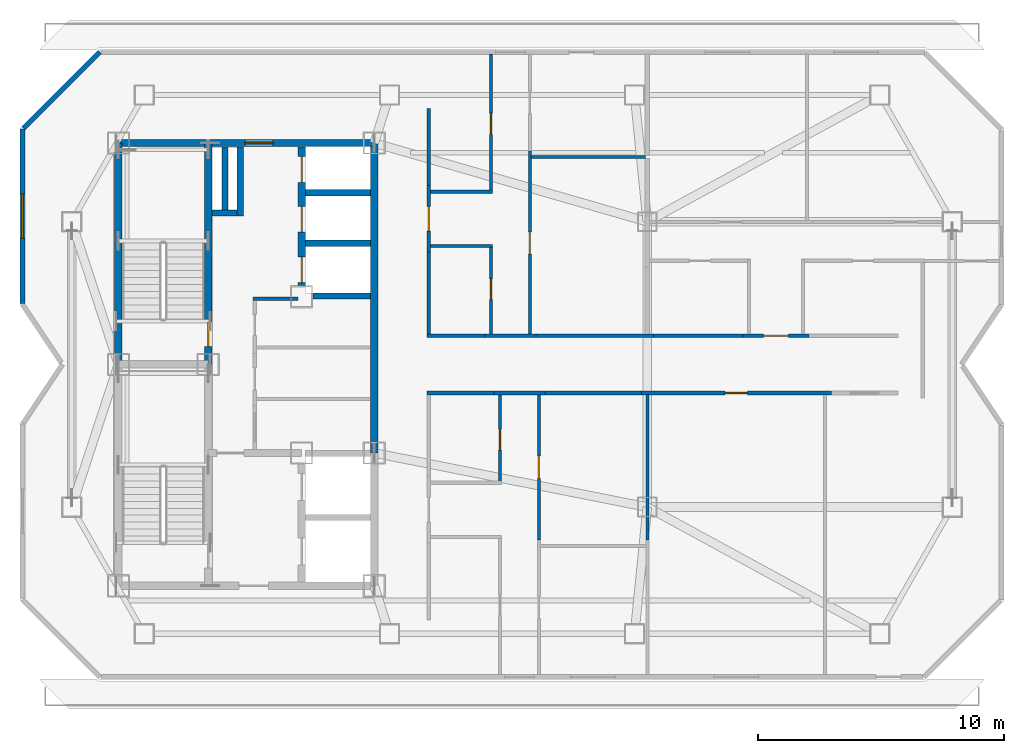
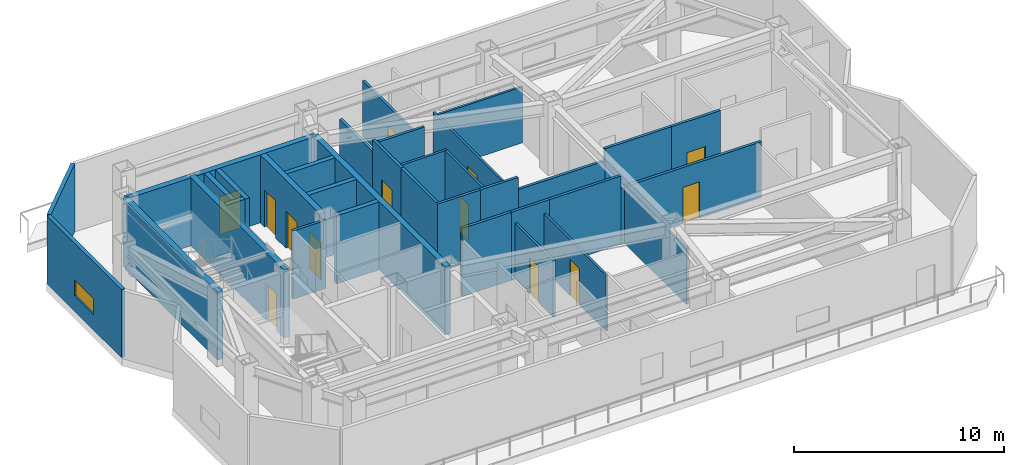
# One storey, part 6 of 12: 35 walls, 13 doors, 1 window, 14 openings.
"""IFC4 building model written with IfcOpenShell, lengths in metres."""

from ifc_helpers import new_model, si_unit, direction, frame, frame_2d, origin, place, context, subcontext, project, spatial, rectangle, extrude, material, layer, layer_set, type_object, element, fill, save


model = new_model("IFC4")

# Units and contexts
model_context = context("Model", 3, precision=1e-05, world=origin(), true_north=direction((0.0, 1.0)))
body_context = subcontext(model_context, "Body", "Model", "MODEL_VIEW")
ifc_project = project(units=[si_unit("LENGTHUNIT", "METRE"), si_unit("AREAUNIT", "SQUARE_METRE"), si_unit("VOLUMEUNIT", "CUBIC_METRE"), si_unit("PLANEANGLEUNIT", "RADIAN"), si_unit("MASSUNIT", "GRAM", prefix="KILO")], contexts=[model_context])

# Site, building, storey
site_placement = place(None, origin())
site = spatial("IfcSite", under=ifc_project, at=site_placement, CompositionType="ELEMENT")
building_placement = place(site_placement, origin())
building = spatial("IfcBuilding", under=site, at=building_placement, Name="Khamvora Tower", CompositionType="ELEMENT")
storey_placement = place(building_placement, frame((0.0, 0.0, 286.25)))
storey = spatial("IfcBuildingStorey", under=building, at=storey_placement, Name="L73", CompositionType="ELEMENT", Elevation=286.25)

# Wall
ifc_material_1 = material(Name="Concrete C50/60", Category="concrete")
ifc_layer_1 = layer(ifc_material_1, 0.300048828125)
ifc_layer_set_1 = layer_set([ifc_layer_1], Name="Concrete C50/60")
wall_type_1 = type_object("IfcWallType", Name="WAL-CORE-300", PredefinedType="SHEAR", material=ifc_layer_set_1)
wall_1_placement = place(storey_placement, frame((29.0, 28.0, 0.0), z_axis=(0.0, 0.0, 1.0), x_axis=(0.0, 1.0, 0.0)))
element("IfcWall", 1, at=wall_1_placement, inside=storey, type_object=wall_type_1, Name="L73 central core west north wall", PredefinedType="SHEAR", context=body_context, shape_type="SweptSolid", body=[
    extrude(rectangle(XDim=9.0, YDim=0.300048828125, at=frame_2d((4.5, 0.0))), origin(), (0.0, 0.0, 1.0), 3.949951171875),
])

# Wall, opening, door
wall_2_placement = place(storey_placement, frame((29.0, 37.0, 0.0), z_axis=(0.0, 0.0, 1.0), x_axis=(1.0, 0.0, 0.0)))
wall_2 = element("IfcWall", 2, at=wall_2_placement, inside=storey, type_object=wall_type_1, Name="L73 central core north wall", PredefinedType="SHEAR", context=body_context, shape_type="SweptSolid", body=[
    extrude(rectangle(XDim=10.39990234375, YDim=0.300048828125, at=frame_2d((5.199951171875, 0.0))), origin(), (0.0, 0.0, 1.0), 3.949951171875),
])
opening_1_placement = place(wall_2_placement, frame((5.139892578125, 0.0, 0.0)))
opening_1 = element("IfcOpeningElement", 3, at=opening_1_placement, cuts=wall_2, Name="Opening D-SC1", PredefinedType="OPENING", context=body_context, shape_type="SweptSolid", body=[
    extrude(rectangle(XDim=1.14990234375, YDim=2.199951171875, at=frame_2d((0.574951171875, 1.10009765625))), frame((0.0, 0.159912109375, 0.0), z_axis=(0.0, -1.0, 0.0), x_axis=(1.0, 0.0, 0.0)), (0.0, 0.0, 1.0), 0.320068359375),
])
ifc_material_2 = material(Name="Powder-Coated Steel and Hardwood Leaf", Category="steel")
door_type_1 = type_object("IfcDoorType", Name="DOR-SCHL-1150", OperationType="NOTDEFINED", PredefinedType="DOOR", material=ifc_material_2)
door_1_placement = place(opening_1_placement, origin())
door_1 = element("IfcDoor", 4, at=door_1_placement, inside=storey, type_object=door_type_1, Name="L73 north core lobby to corridor fire door", OperationType="SINGLE_SWING_RIGHT", OverallHeight=2.199951171875, OverallWidth=1.14990234375, PredefinedType="DOOR", context=body_context, shape_type="SweptSolid", body=[
    extrude(rectangle(XDim=1.14990234375, YDim=2.199951171875, at=frame_2d((0.574951171875, 1.10009765625))), frame((0.0, 0.02490234375, 0.0), z_axis=(0.0, -1.0, 0.0), x_axis=(1.0, 0.0, 0.0)), (0.0, 0.0, 1.0), 0.050048828125),
])
fill(opening_1, door_1)

# Wall
wall_3_placement = place(storey_placement, frame((39.39990234375, 24.39990234375, 0.0), z_axis=(0.0, 0.0, 1.0), x_axis=(0.0, 1.0, 0.0)))
element("IfcWall", 5, at=wall_3_placement, inside=storey, type_object=wall_type_1, Name="L73 central core east north wall", PredefinedType="SHEAR", context=body_context, shape_type="SweptSolid", body=[
    extrude(rectangle(XDim=12.60009765625, YDim=0.300048828125, at=frame_2d((6.300048828125, 0.0))), origin(), (0.0, 0.0, 1.0), 3.949951171875),
])

# Wall, opening, door
wall_4_placement = place(storey_placement, frame((32.64990234375, 28.0, 0.0), z_axis=(0.0, 0.0, 1.0), x_axis=(0.0, 1.0, 0.0)))
wall_4 = element("IfcWall", 6, at=wall_4_placement, inside=storey, type_object=wall_type_1, Name="L73 central core stair north spine wall", PredefinedType="SHEAR", context=body_context, shape_type="SweptSolid", body=[
    extrude(rectangle(XDim=9.0, YDim=0.300048828125, at=frame_2d((4.5, 0.0))), origin(), (0.0, 0.0, 1.0), 3.949951171875),
])
opening_2_placement = place(wall_4_placement, frame((0.719970703125, 0.0, 0.0)))
opening_2 = element("IfcOpeningElement", 7, at=opening_2_placement, cuts=wall_4, Name="Opening D-ST1", PredefinedType="OPENING", context=body_context, shape_type="SweptSolid", body=[
    extrude(rectangle(XDim=1.0, YDim=2.14990234375, at=frame_2d((0.5, 1.074951171875))), frame((0.0, 0.159912109375, 0.0), z_axis=(0.0, -1.0, 0.0), x_axis=(1.0, 0.0, 0.0)), (0.0, 0.0, 1.0), 0.320068359375),
])
door_type_2 = type_object("IfcDoorType", Name="DOR-STAIR-1000", OperationType="NOTDEFINED", PredefinedType="DOOR", material=ifc_material_2)
door_2_placement = place(opening_2_placement, origin())
door_2 = element("IfcDoor", 8, at=door_2_placement, inside=storey, type_object=door_type_2, Name="L73 exit stair ST-02 fire door", OperationType="SINGLE_SWING_RIGHT", OverallHeight=2.14990234375, OverallWidth=1.0, PredefinedType="DOOR", context=body_context, shape_type="SweptSolid", body=[
    extrude(rectangle(XDim=1.0, YDim=2.14990234375, at=frame_2d((0.5, 1.074951171875))), frame((0.0, 0.02490234375, 0.0), z_axis=(0.0, -1.0, 0.0), x_axis=(1.0, 0.0, 0.0)), (0.0, 0.0, 1.0), 0.050048828125),
])
fill(opening_2, door_2)

# Wall, openings, doors
wall_5_placement = place(storey_placement, frame((36.449951171875, 31.199951171875, 0.0), z_axis=(0.0, 0.0, 1.0), x_axis=(0.0, 1.0, 0.0)))
wall_5 = element("IfcWall", 9, at=wall_5_placement, inside=storey, type_object=wall_type_1, Name="L73 central core lift bank central wall", PredefinedType="SHEAR", context=body_context, shape_type="SweptSolid", body=[
    extrude(rectangle(XDim=5.64599609375, YDim=0.300048828125, at=frame_2d((2.822998046875, 0.0))), origin(), (0.0, 0.0, 1.0), 3.949951171875),
])
opening_3_placement = place(wall_5_placement, frame((0.125, 0.0, 0.0)))
opening_3 = element("IfcOpeningElement", 10, at=opening_3_placement, cuts=wall_5, Name="Opening LD-PL", PredefinedType="OPENING", context=body_context, shape_type="SweptSolid", body=[
    extrude(rectangle(XDim=1.050048828125, YDim=2.14990234375, at=frame_2d((0.52490234375, 1.074951171875))), frame((0.0, 0.159912109375, 0.0), z_axis=(0.0, -1.0, 0.0), x_axis=(1.0, 0.0, 0.0)), (0.0, 0.0, 1.0), 0.320068359375),
])
opening_4_placement = place(wall_5_placement, frame((2.175048828125, 0.0, 0.0)))
opening_4 = element("IfcOpeningElement", 11, at=opening_4_placement, cuts=wall_5, Name="Opening LD-PL", PredefinedType="OPENING", context=body_context, shape_type="SweptSolid", body=[
    extrude(rectangle(XDim=1.050048828125, YDim=2.14990234375, at=frame_2d((0.52490234375, 1.074951171875))), frame((0.0, 0.159912109375, 0.0), z_axis=(0.0, -1.0, 0.0), x_axis=(1.0, 0.0, 0.0)), (0.0, 0.0, 1.0), 0.320068359375),
])
opening_5_placement = place(wall_5_placement, frame((4.195068359375, 0.0, 0.0)))
opening_5 = element("IfcOpeningElement", 12, at=opening_5_placement, cuts=wall_5, Name="Opening LD-PL", PredefinedType="OPENING", context=body_context, shape_type="SweptSolid", body=[
    extrude(rectangle(XDim=1.050048828125, YDim=2.14990234375, at=frame_2d((0.52490234375, 1.074951171875))), frame((0.0, 0.159912109375, 0.0), z_axis=(0.0, -1.0, 0.0), x_axis=(1.0, 0.0, 0.0)), (0.0, 0.0, 1.0), 0.320068359375),
])
door_type_3 = type_object("IfcDoorType", Name="DOR-LIFT-1050", OperationType="SLIDING_TO_LEFT", PredefinedType="DOOR", material=ifc_material_2)
door_3_placement = place(opening_3_placement, origin())
door_3 = element("IfcDoor", 13, at=door_3_placement, inside=storey, type_object=door_type_3, Name="L73 lift landing sliding door PH-01", OperationType="SLIDING_TO_LEFT", OverallHeight=2.14990234375, OverallWidth=1.050048828125, PredefinedType="DOOR", context=body_context, shape_type="SweptSolid", body=[
    extrude(rectangle(XDim=1.050048828125, YDim=2.14990234375, at=frame_2d((0.52490234375, 1.074951171875))), frame((0.0, 0.02490234375, 0.0), z_axis=(0.0, -1.0, 0.0), x_axis=(1.0, 0.0, 0.0)), (0.0, 0.0, 1.0), 0.050048828125),
])
fill(opening_3, door_3)
door_4_placement = place(opening_4_placement, origin())
door_4 = element("IfcDoor", 14, at=door_4_placement, inside=storey, type_object=door_type_3, Name="L73 lift landing sliding door PH-02", OperationType="SLIDING_TO_LEFT", OverallHeight=2.14990234375, OverallWidth=1.050048828125, PredefinedType="DOOR", context=body_context, shape_type="SweptSolid", body=[
    extrude(rectangle(XDim=1.050048828125, YDim=2.14990234375, at=frame_2d((0.52490234375, 1.074951171875))), frame((0.0, 0.02490234375, 0.0), z_axis=(0.0, -1.0, 0.0), x_axis=(1.0, 0.0, 0.0)), (0.0, 0.0, 1.0), 0.050048828125),
])
fill(opening_4, door_4)
door_5_placement = place(opening_5_placement, origin())
door_5 = element("IfcDoor", 15, at=door_5_placement, inside=storey, type_object=door_type_3, Name="L73 lift landing sliding door PH-03", OperationType="SLIDING_TO_LEFT", OverallHeight=2.14990234375, OverallWidth=1.050048828125, PredefinedType="DOOR", context=body_context, shape_type="SweptSolid", body=[
    extrude(rectangle(XDim=1.050048828125, YDim=2.14990234375, at=frame_2d((0.52490234375, 1.074951171875))), frame((0.0, 0.02490234375, 0.0), z_axis=(0.0, -1.0, 0.0), x_axis=(1.0, 0.0, 0.0)), (0.0, 0.0, 1.0), 0.050048828125),
])
fill(opening_5, door_5)

# Wall
ifc_material_3 = material(Name="Fire-Rated Drywall and Steel Stud", Category="steel")
ifc_layer_2 = layer(ifc_material_3, 0.14990234375)
ifc_layer_set_2 = layer_set([ifc_layer_2], Name="Fire-Rated Drywall and Steel Stud")
wall_type_2 = type_object("IfcWallType", Name="WAL-CORR-150", PredefinedType="STANDARD", material=ifc_layer_set_2)
wall_6_placement = place(storey_placement, frame((36.300048828125, 30.6650390625, 0.0), z_axis=(0.0, 0.0, 1.0), x_axis=(-1.0, 0.0, 0.0)))
element("IfcWall", 16, at=wall_6_placement, inside=storey, type_object=wall_type_2, Name="L73 interior partition wall 001", PredefinedType="STANDARD", context=body_context, shape_type="SweptSolid", body=[
    extrude(rectangle(XDim=1.820068359375, YDim=0.14990234375, at=frame_2d((0.91015625, 0.0))), origin(), (0.0, 0.0, 1.0), 3.949951171875),
])

# Wall, opening, door
wall_7_placement = place(storey_placement, frame((57.97900390625, 26.8349609375, 0.0), z_axis=(0.0, 0.0, 1.0), x_axis=(-1.0, 0.0, 0.0)))
wall_7 = element("IfcWall", 17, at=wall_7_placement, inside=storey, type_object=wall_type_2, Name="L73 interior partition wall 007", PredefinedType="STANDARD", context=body_context, shape_type="SweptSolid", body=[
    extrude(rectangle(XDim=7.722900390625, YDim=0.14990234375, at=frame_2d((3.861328125, 0.0))), origin(), (0.0, 0.0, 1.0), 3.2451171875),
])
opening_6_placement = place(wall_7_placement, frame((3.410888671875, 0.0, 0.0)))
opening_6 = element("IfcOpeningElement", 18, at=opening_6_placement, cuts=wall_7, Name="Opening D-RM1", PredefinedType="OPENING", context=body_context, shape_type="SweptSolid", body=[
    extrude(rectangle(XDim=0.89990234375, YDim=2.10009765625, at=frame_2d((0.449951171875, 1.050048828125))), frame((0.0, 0.0849609375, 0.0), z_axis=(0.0, -1.0, 0.0), x_axis=(1.0, 0.0, 0.0)), (0.0, 0.0, 1.0), 0.169921875),
])
door_type_4 = type_object("IfcDoorType", Name="DOR-ROOM-900", OperationType="NOTDEFINED", PredefinedType="DOOR", material=ifc_material_2)
door_6_placement = place(opening_6_placement, origin())
door_6 = element("IfcDoor", 19, at=door_6_placement, inside=storey, type_object=door_type_4, Name="L73 interior door COR-CSAL", OperationType="SINGLE_SWING_RIGHT", OverallHeight=2.10009765625, OverallWidth=0.89990234375, PredefinedType="DOOR", context=body_context, shape_type="SweptSolid", body=[
    extrude(rectangle(XDim=0.89990234375, YDim=2.10009765625, at=frame_2d((0.449951171875, 1.050048828125))), frame((0.0, 0.02490234375, 0.0), z_axis=(0.0, -1.0, 0.0), x_axis=(1.0, 0.0, 0.0)), (0.0, 0.0, 1.0), 0.050048828125),
])
fill(opening_6, door_6)

# Walls
wall_8_placement = place(storey_placement, frame((46.339111328125, 26.8349609375, 0.0), z_axis=(0.0, 0.0, 1.0), x_axis=(-1.0, 0.0, 0.0)))
element("IfcWall", 20, at=wall_8_placement, inside=storey, type_object=wall_type_2, Name="L73 interior partition wall 009", PredefinedType="STANDARD", context=body_context, shape_type="SweptSolid", body=[
    extrude(rectangle(XDim=2.078125, YDim=0.14990234375, at=frame_2d((1.0390625, 0.0))), origin(), (0.0, 0.0, 1.0), 3.949951171875),
])
wall_9_placement = place(storey_placement, frame((44.260986328125, 26.8349609375, 0.0), z_axis=(0.0, 0.0, 1.0), x_axis=(-1.0, 0.0, 0.0)))
element("IfcWall", 21, at=wall_9_placement, inside=storey, type_object=wall_type_2, Name="L73 interior partition wall 011", PredefinedType="STANDARD", context=body_context, shape_type="SweptSolid", body=[
    extrude(rectangle(XDim=2.7109375, YDim=0.14990234375, at=frame_2d((1.35546875, 0.0))), origin(), (0.0, 0.0, 1.0), 3.949951171875),
])
wall_10_placement = place(storey_placement, frame((50.256103515625, 26.8349609375, 0.0), z_axis=(0.0, 0.0, 1.0), x_axis=(-1.0, 0.0, 0.0)))
element("IfcWall", 22, at=wall_10_placement, inside=storey, type_object=wall_type_2, Name="L73 interior partition wall 014", PredefinedType="STANDARD", context=body_context, shape_type="SweptSolid", body=[
    extrude(rectangle(XDim=3.9169921875, YDim=0.14990234375, at=frame_2d((1.95849609375, 0.0))), origin(), (0.0, 0.0, 1.0), 3.949951171875),
])
wall_11_placement = place(storey_placement, frame((43.89599609375, 29.1650390625, 0.0), z_axis=(0.0, 0.0, 1.0), x_axis=(1.0, 0.0, 0.0)))
element("IfcWall", 23, at=wall_11_placement, inside=storey, type_object=wall_type_2, Name="L73 interior partition wall 015", PredefinedType="STANDARD", context=body_context, shape_type="SweptSolid", body=[
    extrude(rectangle(XDim=2.078125, YDim=0.14990234375, at=frame_2d((1.0390625, 0.0))), origin(), (0.0, 0.0, 1.0), 3.949951171875),
])

# Wall, opening, door
wall_12_placement = place(storey_placement, frame((41.614990234375, 35.264892578125, 0.0), z_axis=(0.0, 0.0, 1.0), x_axis=(0.0, -1.0, 0.0)))
wall_12 = element("IfcWall", 24, at=wall_12_placement, inside=storey, type_object=wall_type_2, Name="L73 interior partition wall 016", PredefinedType="STANDARD", context=body_context, shape_type="SweptSolid", body=[
    extrude(rectangle(XDim=2.697998046875, YDim=0.14990234375, at=frame_2d((1.34912109375, 0.0))), origin(), (0.0, 0.0, 1.0), 3.949951171875),
])
opening_7_placement = place(wall_12_placement, frame((0.84912109375, 0.0, 0.0)))
opening_7 = element("IfcOpeningElement", 25, at=opening_7_placement, cuts=wall_12, Name="Opening D-U1", PredefinedType="OPENING", context=body_context, shape_type="SweptSolid", body=[
    extrude(rectangle(XDim=1.0, YDim=2.14990234375, at=frame_2d((0.5, 1.074951171875))), frame((0.0, 0.0849609375, 0.0), z_axis=(0.0, -1.0, 0.0), x_axis=(1.0, 0.0, 0.0)), (0.0, 0.0, 1.0), 0.169921875),
])
door_type_5 = type_object("IfcDoorType", Name="DOR-UNIT-1000", OperationType="NOTDEFINED", PredefinedType="DOOR", material=ifc_material_2)
door_7_placement = place(opening_7_placement, origin())
door_7 = element("IfcDoor", 26, at=door_7_placement, inside=storey, type_object=door_type_5, Name="L73 interior door COR-73CH", OperationType="SINGLE_SWING_LEFT", OverallHeight=2.14990234375, OverallWidth=1.0, PredefinedType="DOOR", context=body_context, shape_type="SweptSolid", body=[
    extrude(rectangle(XDim=1.0, YDim=2.14990234375, at=frame_2d((0.5, 1.074951171875))), frame((0.0, 0.02490234375, 0.0), z_axis=(0.0, -1.0, 0.0), x_axis=(1.0, 0.0, 0.0)), (0.0, 0.0, 1.0), 0.050048828125),
])
fill(opening_7, door_7)

# Walls
wall_13_placement = place(storey_placement, frame((41.550048828125, 29.1650390625, 0.0), z_axis=(0.0, 0.0, 1.0), x_axis=(1.0, 0.0, 0.0)))
element("IfcWall", 27, at=wall_13_placement, inside=storey, type_object=wall_type_2, Name="L73 interior partition wall 017", PredefinedType="STANDARD", context=body_context, shape_type="SweptSolid", body=[
    extrude(rectangle(XDim=2.345947265625, YDim=0.14990234375, at=frame_2d((1.1728515625, 0.0))), origin(), (0.0, 0.0, 1.0), 3.949951171875),
])
wall_14_placement = place(storey_placement, frame((41.614990234375, 32.56689453125, 0.0), z_axis=(0.0, 0.0, 1.0), x_axis=(0.0, -1.0, 0.0)))
element("IfcWall", 28, at=wall_14_placement, inside=storey, type_object=wall_type_2, Name="L73 interior partition wall 018", PredefinedType="STANDARD", context=body_context, shape_type="SweptSolid", body=[
    extrude(rectangle(XDim=3.46484375, YDim=0.14990234375, at=frame_2d((1.732421875, 0.0))), origin(), (0.0, 0.0, 1.0), 3.949951171875),
])
wall_15_placement = place(storey_placement, frame((41.614990234375, 38.39990234375, 0.0), z_axis=(0.0, 0.0, 1.0), x_axis=(0.0, -1.0, 0.0)))
element("IfcWall", 29, at=wall_15_placement, inside=storey, type_object=wall_type_2, Name="L73 interior partition wall 019", PredefinedType="STANDARD", context=body_context, shape_type="SweptSolid", body=[
    extrude(rectangle(XDim=3.135009765625, YDim=0.14990234375, at=frame_2d((1.5673828125, 0.0))), origin(), (0.0, 0.0, 1.0), 3.2451171875),
])
wall_16_placement = place(storey_placement, frame((45.97412109375, 29.1650390625, 0.0), z_axis=(0.0, 0.0, 1.0), x_axis=(1.0, 0.0, 0.0)))
element("IfcWall", 30, at=wall_16_placement, inside=storey, type_object=wall_type_2, Name="L73 interior partition wall 020", PredefinedType="STANDARD", context=body_context, shape_type="SweptSolid", body=[
    extrude(rectangle(XDim=4.769775390625, YDim=0.14990234375, at=frame_2d((2.384765625, 0.0))), origin(), (0.0, 0.0, 1.0), 3.2451171875),
])

# Wall, opening, door
wall_17_placement = place(storey_placement, frame((54.382080078125, 29.1650390625, 0.0), z_axis=(0.0, 0.0, 1.0), x_axis=(1.0, 0.0, 0.0)))
wall_17 = element("IfcWall", 31, at=wall_17_placement, inside=storey, type_object=wall_type_2, Name="L73 interior partition wall 021", PredefinedType="STANDARD", context=body_context, shape_type="SweptSolid", body=[
    extrude(rectangle(XDim=2.697998046875, YDim=0.14990234375, at=frame_2d((1.34912109375, 0.0))), origin(), (0.0, 0.0, 1.0), 3.949951171875),
])
opening_8_placement = place(wall_17_placement, frame((0.84912109375, 0.0, 0.0)))
opening_8 = element("IfcOpeningElement", 32, at=opening_8_placement, cuts=wall_17, Name="Opening D-U1", PredefinedType="OPENING", context=body_context, shape_type="SweptSolid", body=[
    extrude(rectangle(XDim=1.0, YDim=2.14990234375, at=frame_2d((0.5, 1.074951171875))), frame((0.0, 0.0849609375, 0.0), z_axis=(0.0, -1.0, 0.0), x_axis=(1.0, 0.0, 0.0)), (0.0, 0.0, 1.0), 0.169921875),
])
door_8_placement = place(opening_8_placement, origin())
door_8 = element("IfcDoor", 33, at=door_8_placement, inside=storey, type_object=door_type_5, Name="L73 interior door COR-73DH", OperationType="SINGLE_SWING_RIGHT", OverallHeight=2.14990234375, OverallWidth=1.0, PredefinedType="DOOR", context=body_context, shape_type="SweptSolid", body=[
    extrude(rectangle(XDim=1.0, YDim=2.14990234375, at=frame_2d((0.5, 1.074951171875))), frame((0.0, 0.02490234375, 0.0), z_axis=(0.0, -1.0, 0.0), x_axis=(1.0, 0.0, 0.0)), (0.0, 0.0, 1.0), 0.050048828125),
])
fill(opening_8, door_8)

# Wall
wall_18_placement = place(storey_placement, frame((50.743896484375, 29.1650390625, 0.0), z_axis=(0.0, 0.0, 1.0), x_axis=(1.0, 0.0, 0.0)))
element("IfcWall", 34, at=wall_18_placement, inside=storey, type_object=wall_type_2, Name="L73 interior partition wall 022", PredefinedType="STANDARD", context=body_context, shape_type="SweptSolid", body=[
    extrude(rectangle(XDim=3.63818359375, YDim=0.14990234375, at=frame_2d((1.819091796875, 0.0))), origin(), (0.0, 0.0, 1.0), 3.949951171875),
])

# Wall, opening, window
ifc_material_4 = material(Name="Precast concrete C40/50", Category="concrete")
ifc_layer_3 = layer(ifc_material_4, 0.199951171875)
ifc_layer_set_3 = layer_set([ifc_layer_3], Name="Precast concrete C40/50")
wall_type_3 = type_object("IfcWallType", Name="WAL-EXT-200", PredefinedType="STANDARD", material=ifc_layer_set_3)
wall_19_placement = place(storey_placement, frame((25.10009765625, 30.47705078125, 0.0), z_axis=(0.0, 0.0, 1.0), x_axis=(0.0, 1.0, 0.0)))
wall_19 = element("IfcWall", 35, at=wall_19_placement, inside=storey, type_object=wall_type_3, Name="L73 exterior facade wall 05.1", PredefinedType="STANDARD", context=body_context, shape_type="SweptSolid", body=[
    extrude(rectangle(XDim=7.08203125, YDim=0.199951171875, at=frame_2d((3.541015625, 0.0))), origin(), (0.0, 0.0, 1.0), 3.949951171875),
])
opening_9_placement = place(wall_19_placement, frame((2.64111328125, 0.0, 0.89990234375)))
opening_9 = element("IfcOpeningElement", 36, at=opening_9_placement, cuts=wall_19, Name="Opening WN-09", PredefinedType="OPENING", context=body_context, shape_type="SweptSolid", body=[
    extrude(rectangle(XDim=1.800048828125, YDim=0.919921875, at=frame_2d((0.89990234375, 0.4599609375))), frame((0.0, 0.10986328125, 0.0), z_axis=(0.0, -1.0, 0.0), x_axis=(1.0, 0.0, 0.0)), (0.0, 0.0, 1.0), 0.219970703125),
])
ifc_material_5 = material(Name="Low-E Laminated Double Glazing", Category="glass")
window_type = type_object("IfcWindowType", Name="WIN-CLR-1800x920", PartitioningType="SINGLE_PANEL", PredefinedType="WINDOW", material=ifc_material_5)
window_placement = place(opening_9_placement, origin())
window = element("IfcWindow", 37, at=window_placement, inside=storey, type_object=window_type, Name="L73 vision window 05.1.01", OverallHeight=0.919921875, OverallWidth=1.800048828125, PartitioningType="SINGLE_PANEL", PredefinedType="WINDOW", context=body_context, shape_type="SweptSolid", body=[
    extrude(rectangle(XDim=1.800048828125, YDim=0.919921875, at=frame_2d((0.89990234375, 0.4599609375))), frame((0.0, 0.030029296875, 0.0), z_axis=(0.0, -1.0, 0.0), x_axis=(1.0, 0.0, 0.0)), (0.0, 0.0, 1.0), 0.06005859375),
])
fill(opening_9, window)

# Walls
wall_20_placement = place(storey_placement, frame((25.14404296875, 37.60302734375, 0.0), z_axis=(0.0, 0.0, 1.0), x_axis=(0.707106781187, 0.707106781187, 0.0)))
element("IfcWall", 38, at=wall_20_placement, inside=storey, type_object=wall_type_3, Name="L73 exterior facade wall 06.1", PredefinedType="STANDARD", context=body_context, shape_type="SweptSolid", body=[
    extrude(rectangle(XDim=4.379638671875, YDim=0.199951171875, at=frame_2d((2.18994140625, 0.0))), origin(), (0.0, 0.0, 1.0), 3.949951171875),
])
ifc_material_6 = material(Name="Gypsum Plasterboard Partition", Category="gypsum")
ifc_layer_4 = layer(ifc_material_6, 0.1201171875)
ifc_layer_set_4 = layer_set([ifc_layer_4], Name="Gypsum Plasterboard Partition")
wall_type_4 = type_object("IfcWallType", Name="WAL-PART-120", PredefinedType="PARTITIONING", material=ifc_layer_set_4)
wall_21_placement = place(storey_placement, frame((50.5048828125, 20.865966796875, 0.0), z_axis=(0.0, 0.0, 1.0), x_axis=(0.0, 1.0, 0.0)))
element("IfcWall", 39, at=wall_21_placement, inside=storey, type_object=wall_type_4, Name="L73 interior partition wall 026", PredefinedType="PARTITIONING", context=body_context, shape_type="SweptSolid", body=[
    extrude(rectangle(XDim=5.904052734375, YDim=0.1201171875, at=frame_2d((2.9521484375, 0.0))), origin(), (0.0, 0.0, 1.0), 3.2451171875),
])

# Wall, opening, door
wall_22_placement = place(storey_placement, frame((46.090087890625, 26.77001953125, 0.0), z_axis=(0.0, 0.0, 1.0), x_axis=(0.0, -1.0, 0.0)))
wall_22 = element("IfcWall", 40, at=wall_22_placement, inside=storey, type_object=wall_type_4, Name="L73 interior partition wall 032", PredefinedType="PARTITIONING", context=body_context, shape_type="SweptSolid", body=[
    extrude(rectangle(XDim=5.89892578125, YDim=0.1201171875, at=frame_2d((2.949462890625, 0.0))), origin(), (0.0, 0.0, 1.0), 3.2451171875),
])
opening_10_placement = place(wall_22_placement, frame((2.4990234375, 0.0, 0.0)))
opening_10 = element("IfcOpeningElement", 41, at=opening_10_placement, cuts=wall_22, Name="Opening D-RM1", PredefinedType="OPENING", context=body_context, shape_type="SweptSolid", body=[
    extrude(rectangle(XDim=0.89990234375, YDim=2.10009765625, at=frame_2d((0.449951171875, 1.050048828125))), frame((0.0, 0.070068359375, 0.0), z_axis=(0.0, -1.0, 0.0), x_axis=(1.0, 0.0, 0.0)), (0.0, 0.0, 1.0), 0.14013671875),
])
door_9_placement = place(opening_10_placement, origin())
door_9 = element("IfcDoor", 42, at=door_9_placement, inside=storey, type_object=door_type_4, Name="L73 interior door 73BH-73BR2", OperationType="SINGLE_SWING_RIGHT", OverallHeight=2.10009765625, OverallWidth=0.89990234375, PredefinedType="DOOR", context=body_context, shape_type="SweptSolid", body=[
    extrude(rectangle(XDim=0.89990234375, YDim=2.10009765625, at=frame_2d((0.449951171875, 1.050048828125))), frame((0.0, 0.02490234375, 0.0), z_axis=(0.0, -1.0, 0.0), x_axis=(1.0, 0.0, 0.0)), (0.0, 0.0, 1.0), 0.050048828125),
])
fill(opening_10, door_9)

wall_23_placement = place(storey_placement, frame((45.72509765625, 36.678955078125, 0.0), z_axis=(0.0, 0.0, 1.0), x_axis=(0.0, -1.0, 0.0)))
wall_23 = element("IfcWall", 43, at=wall_23_placement, inside=storey, type_object=wall_type_4, Name="L73 interior partition wall 038", PredefinedType="PARTITIONING", context=body_context, shape_type="SweptSolid", body=[
    extrude(rectangle(XDim=7.448974609375, YDim=0.1201171875, at=frame_2d((3.724609375, 0.0))), origin(), (0.0, 0.0, 1.0), 3.2451171875),
])
opening_11_placement = place(wall_23_placement, frame((3.294921875, 0.0, 0.0)))
opening_11 = element("IfcOpeningElement", 44, at=opening_11_placement, cuts=wall_23, Name="Opening D-RM1", PredefinedType="OPENING", context=body_context, shape_type="SweptSolid", body=[
    extrude(rectangle(XDim=0.89990234375, YDim=2.10009765625, at=frame_2d((0.449951171875, 1.050048828125))), frame((0.0, 0.070068359375, 0.0), z_axis=(0.0, -1.0, 0.0), x_axis=(1.0, 0.0, 0.0)), (0.0, 0.0, 1.0), 0.14013671875),
])
door_10_placement = place(opening_11_placement, origin())
door_10 = element("IfcDoor", 45, at=door_10_placement, inside=storey, type_object=door_type_4, Name="L73 interior door 73CH-73CL", OperationType="SINGLE_SWING_LEFT", OverallHeight=2.10009765625, OverallWidth=0.89990234375, PredefinedType="DOOR", context=body_context, shape_type="SweptSolid", body=[
    extrude(rectangle(XDim=0.89990234375, YDim=2.10009765625, at=frame_2d((0.449951171875, 1.050048828125))), frame((0.0, 0.02490234375, 0.0), z_axis=(0.0, -1.0, 0.0), x_axis=(1.0, 0.0, 0.0)), (0.0, 0.0, 1.0), 0.050048828125),
])
fill(opening_11, door_10)

# Walls
wall_24_placement = place(storey_placement, frame((45.779052734375, 36.429931640625, 0.0), z_axis=(0.0, 0.0, 1.0), x_axis=(1.0, 0.0, 0.0)))
element("IfcWall", 46, at=wall_24_placement, inside=storey, type_object=wall_type_4, Name="L73 interior partition wall 040", PredefinedType="PARTITIONING", context=body_context, shape_type="SweptSolid", body=[
    extrude(rectangle(XDim=4.65087890625, YDim=0.1201171875, at=frame_2d((2.325439453125, 0.0))), origin(), (0.0, 0.0, 1.0), 3.2451171875),
])
ifc_material_7 = material(Name="Concrete C40/50", Category="concrete")
ifc_layer_5 = layer(ifc_material_7, 0.25)
ifc_layer_set_5 = layer_set([ifc_layer_5], Name="Concrete C40/50")
wall_type_5 = type_object("IfcWallType", Name="WAL-PODS-250", PredefinedType="SHEAR", material=ifc_layer_set_5)
wall_25_placement = place(storey_placement, frame((36.904052734375, 30.77490234375, 0.0), z_axis=(0.0, 0.0, 1.0), x_axis=(1.0, 0.0, 0.0)))
element("IfcWall", 47, at=wall_25_placement, inside=storey, type_object=wall_type_5, Name="L73 high-rise lift shaft south enclosure wall PH-01", PredefinedType="SHEAR", context=body_context, shape_type="SweptSolid", body=[
    extrude(rectangle(XDim=2.342041015625, YDim=0.25, at=frame_2d((1.1708984375, 0.0))), origin(), (0.0, 0.0, 1.0), 3.949951171875),
])
for number, where, z_axis, x_axis, name in (
    (48, (36.60400390625, 32.925048828125, 0.0), (0.0, 0.0, 1.0), (1.0, 0.0, 0.0), "L73 lift shaft divider wall PH-01"),
    (49, (36.60400390625, 34.97509765625, 0.0), (0.0, 0.0, 1.0), (1.0, 0.0, 0.0), "L73 lift shaft divider wall PH-02"),
):
    element("IfcWall", number, at=place(storey_placement, frame(where, z_axis=z_axis, x_axis=x_axis)), inside=storey, type_object=wall_type_5, Name=name, PredefinedType="SHEAR", context=body_context, shape_type="SweptSolid", body=[
        extrude(rectangle(XDim=2.64208984375, YDim=0.25, at=frame_2d((1.321044921875, 0.0))), origin(), (0.0, 0.0, 1.0), 3.949951171875),
    ])
wall_26_placement = place(storey_placement, frame((33.955078125, 34.02490234375, 0.0), z_axis=(0.0, 0.0, 1.0), x_axis=(0.0, 1.0, 0.0)))
element("IfcWall", 50, at=wall_26_placement, inside=storey, type_object=wall_type_5, Name="L73 vertical MEP riser shaft east enclosure wall", PredefinedType="SHEAR", context=body_context, shape_type="SweptSolid", body=[
    extrude(rectangle(XDim=2.821044921875, YDim=0.25, at=frame_2d((1.41064453125, 0.0))), origin(), (0.0, 0.0, 1.0), 3.949951171875),
])
wall_27_placement = place(storey_placement, frame((32.803955078125, 34.14990234375, 0.0), z_axis=(0.0, 0.0, 1.0), x_axis=(1.0, 0.0, 0.0)))
element("IfcWall", 51, at=wall_27_placement, inside=storey, type_object=wall_type_5, Name="L73 vertical MEP riser shaft south enclosure wall", PredefinedType="SHEAR", context=body_context, shape_type="SweptSolid", body=[
    extrude(rectangle(XDim=1.02197265625, YDim=0.25, at=frame_2d((0.510986328125, 0.0))), origin(), (0.0, 0.0, 1.0), 3.949951171875),
])
wall_28_placement = place(storey_placement, frame((33.340087890625, 34.279052734375, 0.0), z_axis=(0.0, 0.0, 1.0), x_axis=(0.0, 1.0, 0.0)))
element("IfcWall", 52, at=wall_28_placement, inside=storey, type_object=wall_type_5, Name="L73 vertical MEP riser shaft divider enclosure wall", PredefinedType="SHEAR", context=body_context, shape_type="SweptSolid", body=[
    extrude(rectangle(XDim=2.56689453125, YDim=0.25, at=frame_2d((1.283447265625, 0.0))), origin(), (0.0, 0.0, 1.0), 3.949951171875),
])

# Wall, opening, door
ifc_material_8 = material(Name="Moisture-Resistant Plasterboard Partition", Category="gypsum")
ifc_layer_6 = layer(ifc_material_8, 0.135009765625)
ifc_layer_set_6 = layer_set([ifc_layer_6], Name="Moisture-Resistant Plasterboard Partition")
wall_type_6 = type_object("IfcWallType", Name="WAL-WET-135", PredefinedType="PARTITIONING", material=ifc_layer_set_6)
wall_29_placement = place(storey_placement, frame((44.510009765625, 23.118896484375, 0.0), z_axis=(0.0, 0.0, 1.0), x_axis=(0.0, 1.0, 0.0)))
wall_29 = element("IfcWall", 53, at=wall_29_placement, inside=storey, type_object=wall_type_6, Name="L73 interior partition wall 028", PredefinedType="PARTITIONING", context=body_context, shape_type="SweptSolid", body=[
    extrude(rectangle(XDim=3.651123046875, YDim=0.135009765625, at=frame_2d((1.82568359375, 0.0))), origin(), (0.0, 0.0, 1.0), 3.2451171875),
])
opening_12_placement = place(wall_29_placement, frame((1.39990234375, 0.0, 0.0)))
opening_12 = element("IfcOpeningElement", 54, at=opening_12_placement, cuts=wall_29, Name="Opening D-WC1", PredefinedType="OPENING", context=body_context, shape_type="SweptSolid", body=[
    extrude(rectangle(XDim=0.85009765625, YDim=2.10009765625, at=frame_2d((0.425048828125, 1.050048828125))), frame((0.0, 0.077392578125, 0.0), z_axis=(0.0, -1.0, 0.0), x_axis=(1.0, 0.0, 0.0)), (0.0, 0.0, 1.0), 0.155029296875),
])
door_type_6 = type_object("IfcDoorType", Name="DOR-WET-850", OperationType="NOTDEFINED", PredefinedType="DOOR", material=ifc_material_2)
door_11_placement = place(opening_12_placement, origin())
door_11 = element("IfcDoor", 55, at=door_11_placement, inside=storey, type_object=door_type_6, Name="L73 interior door 73BH-73BB", OperationType="SINGLE_SWING_LEFT", OverallHeight=2.10009765625, OverallWidth=0.85009765625, PredefinedType="DOOR", context=body_context, shape_type="SweptSolid", body=[
    extrude(rectangle(XDim=0.85009765625, YDim=2.10009765625, at=frame_2d((0.425048828125, 1.050048828125))), frame((0.0, 0.02490234375, 0.0), z_axis=(0.0, -1.0, 0.0), x_axis=(1.0, 0.0, 0.0)), (0.0, 0.0, 1.0), 0.050048828125),
])
fill(opening_12, door_11)

wall_30_placement = place(storey_placement, frame((44.14501953125, 29.22998046875, 0.0), z_axis=(0.0, 0.0, 1.0), x_axis=(0.0, 1.0, 0.0)))
wall_30 = element("IfcWall", 56, at=wall_30_placement, inside=storey, type_object=wall_type_6, Name="L73 interior partition wall 034", PredefinedType="PARTITIONING", context=body_context, shape_type="SweptSolid", body=[
    extrude(rectangle(XDim=3.651123046875, YDim=0.135009765625, at=frame_2d((1.82568359375, 0.0))), origin(), (0.0, 0.0, 1.0), 3.949951171875),
])
opening_13_placement = place(wall_30_placement, frame((1.39990234375, 0.0, 0.0)))
opening_13 = element("IfcOpeningElement", 57, at=opening_13_placement, cuts=wall_30, Name="Opening D-WC1", PredefinedType="OPENING", context=body_context, shape_type="SweptSolid", body=[
    extrude(rectangle(XDim=0.85009765625, YDim=2.10009765625, at=frame_2d((0.425048828125, 1.050048828125))), frame((0.0, 0.077392578125, 0.0), z_axis=(0.0, -1.0, 0.0), x_axis=(1.0, 0.0, 0.0)), (0.0, 0.0, 1.0), 0.155029296875),
])
door_12_placement = place(opening_13_placement, origin())
door_12 = element("IfcDoor", 58, at=door_12_placement, inside=storey, type_object=door_type_6, Name="L73 interior door 73CH-73CB", OperationType="SINGLE_SWING_LEFT", OverallHeight=2.10009765625, OverallWidth=0.85009765625, PredefinedType="DOOR", context=body_context, shape_type="SweptSolid", body=[
    extrude(rectangle(XDim=0.85009765625, YDim=2.10009765625, at=frame_2d((0.425048828125, 1.050048828125))), frame((0.0, 0.02490234375, 0.0), z_axis=(0.0, -1.0, 0.0), x_axis=(1.0, 0.0, 0.0)), (0.0, 0.0, 1.0), 0.050048828125),
])
fill(opening_13, door_12)

# Walls
for number, where, z_axis, x_axis, name in (
    (59, (44.2099609375, 32.81591796875, 0.0), (0.0, 0.0, 1.0), (-1.0, 0.0, 0.0), "L73 interior partition wall 035"),
    (60, (41.681884765625, 35.01611328125, 0.0), (0.0, 0.0, 1.0), (1.0, 0.0, 0.0), "L73 interior partition wall 036"),
):
    element("IfcWall", number, at=place(storey_placement, frame(where, z_axis=z_axis, x_axis=x_axis)), inside=storey, type_object=wall_type_6, Name=name, PredefinedType="PARTITIONING", context=body_context, shape_type="SweptSolid", body=[
        extrude(rectangle(XDim=2.528076171875, YDim=0.135009765625, at=frame_2d((1.26416015625, 0.0))), origin(), (0.0, 0.0, 1.0), 3.949951171875),
    ])

# Wall, opening, door
wall_31_placement = place(storey_placement, frame((44.14501953125, 34.950927734375, 0.0), z_axis=(0.0, 0.0, 1.0), x_axis=(0.0, 1.0, 0.0)))
wall_31 = element("IfcWall", 61, at=wall_31_placement, inside=storey, type_object=wall_type_6, Name="L73 interior partition wall 037", PredefinedType="PARTITIONING", context=body_context, shape_type="SweptSolid", body=[
    extrude(rectangle(XDim=5.656982421875, YDim=0.135009765625, at=frame_2d((2.82861328125, 0.0))), origin(), (0.0, 0.0, 1.0), 3.2451171875),
])
opening_14_placement = place(wall_31_placement, frame((2.404052734375, 0.0, 0.0)))
opening_14 = element("IfcOpeningElement", 62, at=opening_14_placement, cuts=wall_31, Name="Opening D-RM2", PredefinedType="OPENING", context=body_context, shape_type="SweptSolid", body=[
    extrude(rectangle(XDim=0.85009765625, YDim=2.10009765625, at=frame_2d((0.425048828125, 1.050048828125))), frame((0.0, 0.077392578125, 0.0), z_axis=(0.0, -1.0, 0.0), x_axis=(1.0, 0.0, 0.0)), (0.0, 0.0, 1.0), 0.155029296875),
])
door_type_7 = type_object("IfcDoorType", Name="DOR-ROOM-850", OperationType="NOTDEFINED", PredefinedType="DOOR", material=ifc_material_2)
door_13_placement = place(opening_14_placement, origin())
door_13 = element("IfcDoor", 63, at=door_13_placement, inside=storey, type_object=door_type_7, Name="L73 interior door 73CH-73CK", OperationType="SINGLE_SWING_RIGHT", OverallHeight=2.10009765625, OverallWidth=0.85009765625, PredefinedType="DOOR", context=body_context, shape_type="SweptSolid", body=[
    extrude(rectangle(XDim=0.85009765625, YDim=2.10009765625, at=frame_2d((0.425048828125, 1.050048828125))), frame((0.0, 0.02490234375, 0.0), z_axis=(0.0, -1.0, 0.0), x_axis=(1.0, 0.0, 0.0)), (0.0, 0.0, 1.0), 0.050048828125),
])
fill(opening_14, door_13)

save(model, "model.ifc")
